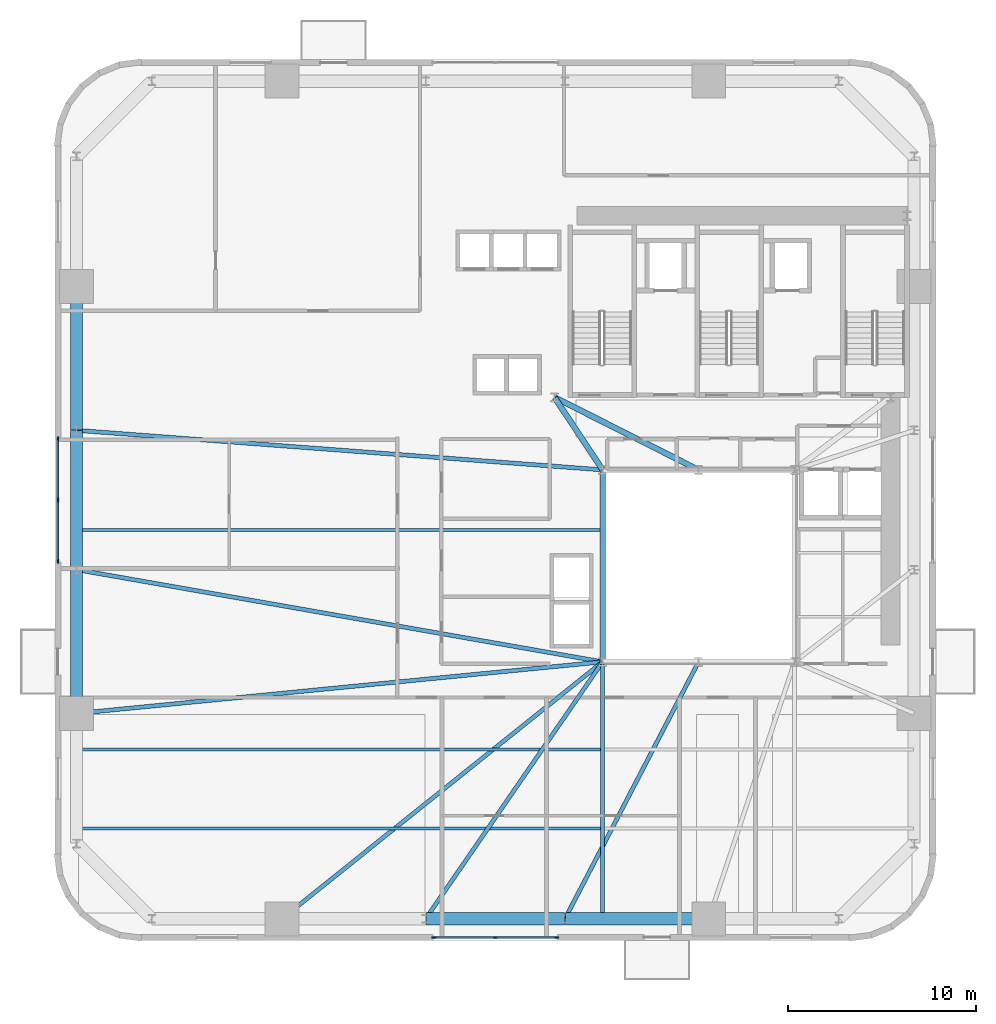
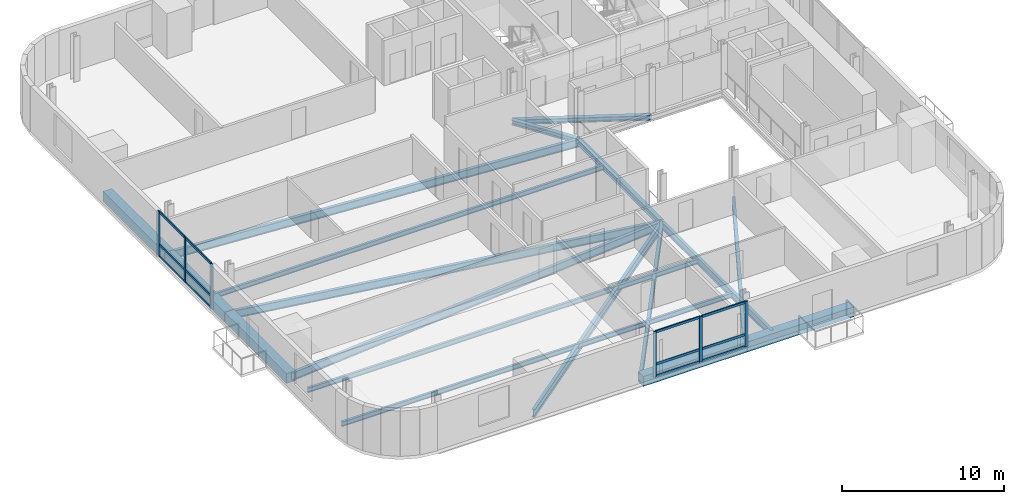
# One storey, part 2 of 13: 18 beams, 18 members, 2 elements without a shape of their own.
"""IFC4 building model written with IfcOpenShell, lengths in metres."""

from ifc_helpers import new_model, si_unit, direction, frame, origin, origin_2d, place, context, subcontext, project, spatial, rectangle, i_section, extrude, source, transform, mapped, material, material_profile, profile_set, type_object, element, aggregate, save


model = new_model("IFC4")

# Units and contexts
model_context = context("Model", 3, precision=1e-05, world=origin(), true_north=direction((0.0, 1.0)))
body_context = subcontext(model_context, "Body", "Model", "MODEL_VIEW")
ifc_project = project(units=[si_unit("LENGTHUNIT", "METRE"), si_unit("AREAUNIT", "SQUARE_METRE"), si_unit("VOLUMEUNIT", "CUBIC_METRE"), si_unit("PLANEANGLEUNIT", "RADIAN"), si_unit("MASSUNIT", "GRAM", prefix="KILO")], contexts=[model_context])

# Site, building, storey
site_placement = place(None, origin())
site = spatial("IfcSite", under=ifc_project, at=site_placement, CompositionType="ELEMENT")
building_placement = place(site_placement, origin())
building = spatial("IfcBuilding", under=site, at=building_placement, Name="Vardaveli Station Tower", CompositionType="ELEMENT")
storey_placement = place(building_placement, frame((0.0, 0.0, 67.75)))
storey = spatial("IfcBuildingStorey", under=building, at=storey_placement, Name="L17", CompositionType="ELEMENT", Elevation=67.75)

# Beams
ifc_material_1 = material(Name="Structural steel S355J2", Category="steel")
ifc_material_profile_1 = material_profile(ifc_material_1, i_section(OverallWidth=0.300048828125, OverallDepth=0.449951171875, WebThickness=0.013916015625, FlangeThickness=0.02587890625, FilletRadius=0.027099609375, at=origin_2d()), Name="HEB 450")
ifc_profile_set_1 = profile_set([ifc_material_profile_1], Name="Structural steel S355J2")
beam_type_1 = type_object("IfcBeamType", Name="BM-HEB450", PredefinedType="BEAM", material=ifc_profile_set_1)
shared_shape_1 = source(origin(), body_context, "Body", "SweptSolid", [
    extrude(i_section(OverallWidth=0.300048828125, OverallDepth=0.449951171875, WebThickness=0.013916015625, FlangeThickness=0.02587890625, FilletRadius=0.027099609375, at=origin_2d()), origin(), (0.0, 0.0, 1.0), 10.159912109375),
])
beam_1_placement = place(storey_placement, frame((31.199951171875, 26.780029296875, -0.465087890625), z_axis=(0.0, -1.0, 0.0), x_axis=(1.0, 0.0, 0.0)))
element("IfcBeam", 1, at=beam_1_placement, inside=storey, type_object=beam_type_1, Name="ABM-L17-06", PredefinedType="BEAM", context=body_context, shape_type="MappedRepresentation", body=[
    mapped(shared_shape_1, transform((0.0, 0.0, 0.0), scale=1.0)),
])
ifc_material_profile_2 = material_profile(ifc_material_1, i_section(OverallWidth=0.300048828125, OverallDepth=0.360107421875, WebThickness=0.012451171875, FlangeThickness=0.0224609375, FilletRadius=0.027099609375, at=origin_2d()), Name="HEB 360")
ifc_profile_set_2 = profile_set([ifc_material_profile_2], Name="Structural steel S355J2")
beam_type_2 = type_object("IfcBeamType", Name="BM-HEB360", PredefinedType="BEAM", material=ifc_profile_set_2)
shared_shape_2 = source(origin(), body_context, "Body", "SweptSolid", [
    extrude(i_section(OverallWidth=0.300048828125, OverallDepth=0.360107421875, WebThickness=0.012451171875, FlangeThickness=0.0224609375, FilletRadius=0.027099609375, at=origin_2d()), origin(), (0.0, 0.0, 1.0), 4.577880859375),
])
beam_2_placement = place(storey_placement, frame((31.18896484375, 26.816650390625, -0.419921875), z_axis=(-0.55218702139, 0.833720272879, 0.0), x_axis=(-0.833720272879, -0.55218702139, 0.0)))
element("IfcBeam", 2, at=beam_2_placement, inside=storey, type_object=beam_type_2, Name="CBM-L17-01", PredefinedType="BEAM", context=body_context, shape_type="MappedRepresentation", body=[
    mapped(shared_shape_2, transform((0.0, 0.0, 0.0), scale=1.0)),
])
shared_shape_3 = source(origin(), body_context, "Body", "SweptSolid", [
    extrude(i_section(OverallWidth=0.300048828125, OverallDepth=0.360107421875, WebThickness=0.012451171875, FlangeThickness=0.0224609375, FilletRadius=0.027099609375, at=origin_2d()), origin(), (0.0, 0.0, 1.0), 8.524169921875),
])
beam_3_placement = place(storey_placement, frame((28.66796875, 30.64111328125, -0.419921875), z_axis=(0.893255584708, -0.449549174605, 0.0), x_axis=(0.449549174605, 0.893255584708, 0.0)))
element("IfcBeam", 3, at=beam_3_placement, inside=storey, type_object=beam_type_2, Name="CBM-L17-03", PredefinedType="BEAM", context=body_context, shape_type="MappedRepresentation", body=[
    mapped(shared_shape_3, transform((0.0, 0.0, 0.0), scale=1.0)),
])
ifc_material_2 = material(Name="Precast concrete C45/55", Category="concrete")
ifc_material_profile_3 = material_profile(ifc_material_2, rectangle(XDim=0.64990234375, YDim=0.75, at=origin_2d()), Name="LPB 650x750")
ifc_profile_set_3 = profile_set([ifc_material_profile_3], Name="Precast concrete C45/55")
beam_type_3 = type_object("IfcBeamType", Name="BM-LPB-750", PredefinedType="BEAM", material=ifc_profile_set_3)
shared_shape_4 = source(origin(), body_context, "Body", "SweptSolid", [
    extrude(rectangle(XDim=0.64990234375, YDim=0.75, at=origin_2d()), origin(), (0.0, 0.0, 1.0), 7.60009765625),
])
for number, where, z_axis, x_axis, name in (
    (4, (29.219970703125, 2.949951171875, -0.614990234375), (1.0, 0.0, 0.0), (0.0, 1.0, 0.0), "RBM-L17-03"),
    (5, (3.25, 36.52001953125, -0.614990234375), (0.0, -1.0, 0.0), (1.0, 0.0, 0.0), "RBM-L17-19"),
    (6, (3.25, 21.47998046875, -0.614990234375), (0.0, -1.0, 0.0), (1.0, 0.0, 0.0), "RBM-L17-21"),
):
    element("IfcBeam", number, at=place(storey_placement, frame(where, z_axis=z_axis, x_axis=x_axis)), inside=storey, type_object=beam_type_3, Name=name, PredefinedType="BEAM", context=body_context, shape_type="MappedRepresentation", body=[
        mapped(shared_shape_4, transform((0.0, 0.0, 0.0), scale=1.0)),
    ])
shared_shape_5 = source(origin(), body_context, "Body", "SweptSolid", [
    extrude(rectangle(XDim=0.64990234375, YDim=0.75, at=origin_2d()), origin(), (0.0, 0.0, 1.0), 7.35986328125),
])
for number, where, z_axis, x_axis, name in (
    (7, (21.820068359375, 2.949951171875, -0.614990234375), (1.0, 0.0, 0.0), (0.0, 1.0, 0.0), "RBM-L17-02"),
    (8, (3.25, 28.8798828125, -0.614990234375), (0.0, -1.0, 0.0), (1.0, 0.0, 0.0), "RBM-L17-20"),
):
    element("IfcBeam", number, at=place(storey_placement, frame(where, z_axis=z_axis, x_axis=x_axis)), inside=storey, type_object=beam_type_3, Name=name, PredefinedType="BEAM", context=body_context, shape_type="MappedRepresentation", body=[
        mapped(shared_shape_5, transform((0.0, 0.0, 0.0), scale=1.0)),
    ])
ifc_material_profile_4 = material_profile(ifc_material_1, i_section(OverallWidth=0.219970703125, OverallDepth=0.60009765625, WebThickness=0.011962890625, FlangeThickness=0.01904296875, FilletRadius=0.02392578125, at=origin_2d()), Name="IPE 600")
ifc_profile_set_4 = profile_set([ifc_material_profile_4], Name="Structural steel S355J2")
beam_type_4 = type_object("IfcBeamType", Name="BM-IPE600", PredefinedType="BEAM", material=ifc_profile_set_4)
shared_shape_6 = source(origin(), body_context, "Body", "SweptSolid", [
    extrude(i_section(OverallWidth=0.219970703125, OverallDepth=0.60009765625, WebThickness=0.011962890625, FlangeThickness=0.01904296875, FilletRadius=0.02392578125, at=origin_2d()), origin(), (0.0, 0.0, 1.0), 21.793212890625),
])
beam_4_placement = place(storey_placement, frame((14.175537109375, 2.96240234375, -0.5400390625), z_axis=(0.780466445023, 0.625197671296, 0.0), x_axis=(-0.625197671296, 0.780466445023, 0.0)))
element("IfcBeam", 9, at=beam_4_placement, inside=storey, type_object=beam_type_4, Name="GBM-L17-01", PredefinedType="BEAM", context=body_context, shape_type="MappedRepresentation", body=[
    mapped(shared_shape_6, transform((0.0, 0.0, 0.0), scale=1.0)),
])
shared_shape_7 = source(origin(), body_context, "Body", "SweptSolid", [
    extrude(i_section(OverallWidth=0.219970703125, OverallDepth=0.60009765625, WebThickness=0.011962890625, FlangeThickness=0.01904296875, FilletRadius=0.02392578125, at=origin_2d()), origin(), (0.0, 0.0, 1.0), 16.533447265625),
])
beam_5_placement = place(storey_placement, frame((21.811279296875, 2.966552734375, -0.5400390625), z_axis=(0.567177272103, 0.823595739431, 0.0), x_axis=(-0.823595739431, 0.567177272103, 0.0)))
element("IfcBeam", 10, at=beam_5_placement, inside=storey, type_object=beam_type_4, Name="GBM-L17-02", PredefinedType="BEAM", context=body_context, shape_type="MappedRepresentation", body=[
    mapped(shared_shape_7, transform((0.0, 0.0, 0.0), scale=1.0)),
])
shared_shape_8 = source(origin(), body_context, "Body", "SweptSolid", [
    extrude(i_section(OverallWidth=0.219970703125, OverallDepth=0.60009765625, WebThickness=0.011962890625, FlangeThickness=0.01904296875, FilletRadius=0.02392578125, at=origin_2d()), origin(), (0.0, 0.0, 1.0), 15.34619140625),
])
beam_6_placement = place(storey_placement, frame((29.209228515625, 2.9677734375, -0.5400390625), z_axis=(0.461455420507, 0.887163398075, 0.0), x_axis=(-0.887163398075, 0.461455420507, 0.0)))
element("IfcBeam", 11, at=beam_6_placement, inside=storey, type_object=beam_type_4, Name="GBM-L17-03", PredefinedType="BEAM", context=body_context, shape_type="MappedRepresentation", body=[
    mapped(shared_shape_8, transform((0.0, 0.0, 0.0), scale=1.0)),
])
shared_shape_9 = source(origin(), body_context, "Body", "SweptSolid", [
    extrude(i_section(OverallWidth=0.219970703125, OverallDepth=0.60009765625, WebThickness=0.011962890625, FlangeThickness=0.01904296875, FilletRadius=0.02392578125, at=origin_2d()), origin(), (0.0, 0.0, 1.0), 27.98876953125),
])
beam_7_placement = place(storey_placement, frame((3.27001953125, 28.8984375, -0.5400390625), z_axis=(0.99718954315, -0.074920057611, 0.0), x_axis=(0.074920057611, 0.99718954315, 0.0)))
element("IfcBeam", 12, at=beam_7_placement, inside=storey, type_object=beam_type_4, Name="GBM-L17-08", PredefinedType="BEAM", context=body_context, shape_type="MappedRepresentation", body=[
    mapped(shared_shape_9, transform((0.0, 0.0, 0.0), scale=1.0)),
])
shared_shape_10 = source(origin(), body_context, "Body", "SweptSolid", [
    extrude(i_section(OverallWidth=0.219970703125, OverallDepth=0.60009765625, WebThickness=0.011962890625, FlangeThickness=0.01904296875, FilletRadius=0.02392578125, at=origin_2d()), origin(), (0.0, 0.0, 1.0), 28.33642578125),
])
beam_8_placement = place(storey_placement, frame((3.269775390625, 21.49658203125, -0.5400390625), z_axis=(0.984978267336, -0.172678350921, 0.0), x_axis=(0.172678350921, 0.984978267336, 0.0)))
element("IfcBeam", 13, at=beam_8_placement, inside=storey, type_object=beam_type_4, Name="GBM-L17-09", PredefinedType="BEAM", context=body_context, shape_type="MappedRepresentation", body=[
    mapped(shared_shape_10, transform((0.0, 0.0, 0.0), scale=1.0)),
])
shared_shape_11 = source(origin(), body_context, "Body", "SweptSolid", [
    extrude(i_section(OverallWidth=0.219970703125, OverallDepth=0.60009765625, WebThickness=0.011962890625, FlangeThickness=0.01904296875, FilletRadius=0.02392578125, at=origin_2d()), origin(), (0.0, 0.0, 1.0), 28.0439453125),
])
beam_9_placement = place(storey_placement, frame((3.27001953125, 13.862060546875, -0.5400390625), z_axis=(0.995229237856, 0.097564153855, 0.0), x_axis=(-0.097564153855, 0.995229237856, 0.0)))
element("IfcBeam", 14, at=beam_9_placement, inside=storey, type_object=beam_type_4, Name="GBM-L17-10", PredefinedType="BEAM", context=body_context, shape_type="MappedRepresentation", body=[
    mapped(shared_shape_11, transform((0.0, 0.0, 0.0), scale=1.0)),
])
ifc_material_profile_5 = material_profile(ifc_material_1, i_section(OverallWidth=0.2099609375, OverallDepth=0.550048828125, WebThickness=0.010986328125, FlangeThickness=0.01708984375, FilletRadius=0.02392578125, at=origin_2d()), Name="IPE 550")
ifc_profile_set_5 = profile_set([ifc_material_profile_5], Name="Structural steel S355J2")
beam_type_5 = type_object("IfcBeamType", Name="BM-IPE550", PredefinedType="BEAM", material=ifc_profile_set_5)
shared_shape_12 = source(origin(), body_context, "Body", "SweptSolid", [
    extrude(i_section(OverallWidth=0.2099609375, OverallDepth=0.550048828125, WebThickness=0.010986328125, FlangeThickness=0.01708984375, FilletRadius=0.02392578125, at=origin_2d()), origin(), (0.0, 0.0, 1.0), 13.469970703125),
])
beam_10_placement = place(storey_placement, frame((31.199951171875, 2.989990234375, -0.514892578125), z_axis=(0.0, 1.0, 0.0), x_axis=(-1.0, 0.0, 0.0)))
element("IfcBeam", 15, at=beam_10_placement, inside=storey, type_object=beam_type_5, Name="NSM-L17-S1", PredefinedType="BEAM", context=body_context, shape_type="MappedRepresentation", body=[
    mapped(shared_shape_12, transform((0.0, 0.0, 0.0), scale=1.0)),
])
ifc_material_profile_6 = material_profile(ifc_material_1, i_section(OverallWidth=0.169921875, OverallDepth=0.360107421875, WebThickness=0.008056640625, FlangeThickness=0.0126953125, FilletRadius=0.01806640625, at=origin_2d()), Name="IPE 360")
ifc_profile_set_6 = profile_set([ifc_material_profile_6], Name="Structural steel S355J2")
beam_type_6 = type_object("IfcBeamType", Name="BM-IPE360", PredefinedType="JOIST", material=ifc_profile_set_6)
shared_shape_13 = source(origin(), body_context, "Body", "SweptSolid", [
    extrude(i_section(OverallWidth=0.169921875, OverallDepth=0.360107421875, WebThickness=0.008056640625, FlangeThickness=0.0126953125, FilletRadius=0.01806640625, at=origin_2d()), origin(), (0.0, 0.0, 1.0), 27.7978515625),
])
for number, where, z_axis, x_axis, name in (
    (16, (3.2900390625, 7.75, -0.419921875), (1.0, 0.0, 0.0), (0.0, 1.0, 0.0), "SJ-L17-S01"),
    (17, (3.2900390625, 11.949951171875, -0.419921875), (1.0, 0.0, 0.0), (0.0, 1.0, 0.0), "SJ-L17-S04"),
    (18, (3.2900390625, 23.60009765625, -0.419921875), (1.0, 0.0, 0.0), (0.0, 1.0, 0.0), "SJ-L17-W08"),
):
    element("IfcBeam", number, at=place(storey_placement, frame(where, z_axis=z_axis, x_axis=x_axis)), inside=storey, type_object=beam_type_6, Name=name, PredefinedType="JOIST", context=body_context, shape_type="MappedRepresentation", body=[
        mapped(shared_shape_13, transform((0.0, 0.0, 0.0), scale=1.0)),
    ])

# Curtain wall, members
ifc_material_3 = material(Name="Travertine stone and solar-control glass", Category="masonry")
curtain_wall_type = type_object("IfcCurtainWallType", Name="CW-SYS-2", PredefinedType="NOTDEFINED", material=ifc_material_3)
curtain_wall_1_placement = place(storey_placement, origin())
curtain_wall_1 = element("IfcCurtainWall", 19, at=curtain_wall_1_placement, inside=storey, type_object=curtain_wall_type, Name="CW-L17-S", PredefinedType="NOTDEFINED")
ifc_material_4 = material(Name="Anodised aluminium alloy 6063-T6", Category="aluminium")
ifc_material_profile_7 = material_profile(ifc_material_4, rectangle(XDim=0.0849609375, YDim=0.219970703125, at=origin_2d()), Name="CWM 85x220")
ifc_profile_set_7 = profile_set([ifc_material_profile_7], Name="Anodised aluminium alloy 6063-T6")
member_type_1 = type_object("IfcMemberType", Name="CW-SYS-2-MULL", PredefinedType="MULLION", material=ifc_profile_set_7)
shared_shape_14 = source(origin(), body_context, "Body", "SweptSolid", [
    extrude(rectangle(XDim=0.0849609375, YDim=0.219970703125, at=origin_2d()), origin(), (0.0, 0.0, 1.0), 3.409912109375),
])
member_1_placement = place(storey_placement, frame((22.242431640625, 1.9599609375, 0.0), z_axis=(0.0, 0.0, 1.0), x_axis=(0.0, 1.0, 0.0)))
member_1 = element("IfcMember", 20, at=member_1_placement, type_object=member_type_1, Name="CW-2 mullion 1", PredefinedType="MULLION", context=body_context, shape_type="MappedRepresentation", body=[
    mapped(shared_shape_14, transform((0.0, 0.0, 0.0), scale=1.0)),
])
member_2_placement = place(storey_placement, frame((25.5, 1.9599609375, 0.0), z_axis=(0.0, 0.0, 1.0), x_axis=(0.0, 1.0, 0.0)))
member_2 = element("IfcMember", 21, at=member_2_placement, type_object=member_type_1, Name="CW-2 mullion 2", PredefinedType="MULLION", context=body_context, shape_type="MappedRepresentation", body=[
    mapped(shared_shape_14, transform((0.0, 0.0, 0.0), scale=1.0)),
])
member_3_placement = place(storey_placement, frame((28.757568359375, 1.9599609375, 0.0), z_axis=(0.0, 0.0, 1.0), x_axis=(0.0, 1.0, 0.0)))
member_3 = element("IfcMember", 22, at=member_3_placement, type_object=member_type_1, Name="CW-2 mullion 3", PredefinedType="MULLION", context=body_context, shape_type="MappedRepresentation", body=[
    mapped(shared_shape_14, transform((0.0, 0.0, 0.0), scale=1.0)),
])

curtain_wall_2_placement = place(storey_placement, origin())
curtain_wall_2 = element("IfcCurtainWall", 23, at=curtain_wall_2_placement, inside=storey, type_object=curtain_wall_type, Name="CW-L17-W", PredefinedType="NOTDEFINED")
member_4_placement = place(storey_placement, frame((2.260009765625, 28.45751953125, 0.0), z_axis=(0.0, 0.0, 1.0), x_axis=(1.0, 0.0, 0.0)))
member_4 = element("IfcMember", 24, at=member_4_placement, type_object=member_type_1, Name="CW-2 mullion 1", PredefinedType="MULLION", context=body_context, shape_type="MappedRepresentation", body=[
    mapped(shared_shape_14, transform((0.0, 0.0, 0.0), scale=1.0)),
])
member_5_placement = place(storey_placement, frame((2.260009765625, 25.199951171875, 0.0), z_axis=(0.0, 0.0, 1.0), x_axis=(1.0, 0.0, 0.0)))
member_5 = element("IfcMember", 25, at=member_5_placement, type_object=member_type_1, Name="CW-2 mullion 2", PredefinedType="MULLION", context=body_context, shape_type="MappedRepresentation", body=[
    mapped(shared_shape_14, transform((0.0, 0.0, 0.0), scale=1.0)),
])
member_6_placement = place(storey_placement, frame((2.260009765625, 21.9423828125, 0.0), z_axis=(0.0, 0.0, 1.0), x_axis=(1.0, 0.0, 0.0)))
member_6 = element("IfcMember", 26, at=member_6_placement, type_object=member_type_1, Name="CW-2 mullion 3", PredefinedType="MULLION", context=body_context, shape_type="MappedRepresentation", body=[
    mapped(shared_shape_14, transform((0.0, 0.0, 0.0), scale=1.0)),
])

# Member
ifc_material_profile_8 = material_profile(ifc_material_4, rectangle(XDim=0.0849609375, YDim=0.179931640625, at=origin_2d()), Name="CWT 85x180")
ifc_profile_set_8 = profile_set([ifc_material_profile_8], Name="Anodised aluminium alloy 6063-T6")
member_type_2 = type_object("IfcMemberType", Name="CW-SYS-2-TRAN", PredefinedType="NOTDEFINED", material=ifc_profile_set_8)
shared_shape_15 = source(origin(), body_context, "Body", "SweptSolid", [
    extrude(rectangle(XDim=0.0849609375, YDim=0.179931640625, at=origin_2d()), origin(), (0.0, 0.0, 1.0), 3.172607421875),
])
member_7_placement = place(storey_placement, frame((22.284912109375, 1.9599609375, 0.04248046875), z_axis=(1.0, 0.0, 0.0), x_axis=(0.0, 1.0, 0.0)))
member_7 = element("IfcMember", 27, at=member_7_placement, type_object=member_type_2, Name="CW-2 transom 1.1", ObjectType="TRANSOM", PredefinedType="USERDEFINED", context=body_context, shape_type="MappedRepresentation", body=[
    mapped(shared_shape_15, transform((0.0, 0.0, 0.0), scale=1.0)),
])

member_8_placement = place(storey_placement, frame((22.284912109375, 1.9599609375, 0.949951171875), z_axis=(1.0, 0.0, 0.0), x_axis=(0.0, 1.0, 0.0)))
member_8 = element("IfcMember", 28, at=member_8_placement, type_object=member_type_2, Name="CW-2 transom 1.2", ObjectType="TRANSOM", PredefinedType="USERDEFINED", context=body_context, shape_type="MappedRepresentation", body=[
    mapped(shared_shape_15, transform((0.0, 0.0, 0.0), scale=1.0)),
])

member_9_placement = place(storey_placement, frame((22.284912109375, 1.9599609375, 3.367431640625), z_axis=(1.0, 0.0, 0.0), x_axis=(0.0, 1.0, 0.0)))
member_9 = element("IfcMember", 29, at=member_9_placement, type_object=member_type_2, Name="CW-2 transom 1.3", ObjectType="TRANSOM", PredefinedType="USERDEFINED", context=body_context, shape_type="MappedRepresentation", body=[
    mapped(shared_shape_15, transform((0.0, 0.0, 0.0), scale=1.0)),
])

member_10_placement = place(storey_placement, frame((25.54248046875, 1.9599609375, 0.04248046875), z_axis=(1.0, 0.0, 0.0), x_axis=(0.0, 1.0, 0.0)))
member_10 = element("IfcMember", 30, at=member_10_placement, type_object=member_type_2, Name="CW-2 transom 2.1", ObjectType="TRANSOM", PredefinedType="USERDEFINED", context=body_context, shape_type="MappedRepresentation", body=[
    mapped(shared_shape_15, transform((0.0, 0.0, 0.0), scale=1.0)),
])

member_11_placement = place(storey_placement, frame((25.54248046875, 1.9599609375, 0.949951171875), z_axis=(1.0, 0.0, 0.0), x_axis=(0.0, 1.0, 0.0)))
member_11 = element("IfcMember", 31, at=member_11_placement, type_object=member_type_2, Name="CW-2 transom 2.2", ObjectType="TRANSOM", PredefinedType="USERDEFINED", context=body_context, shape_type="MappedRepresentation", body=[
    mapped(shared_shape_15, transform((0.0, 0.0, 0.0), scale=1.0)),
])

member_12_placement = place(storey_placement, frame((25.54248046875, 1.9599609375, 3.367431640625), z_axis=(1.0, 0.0, 0.0), x_axis=(0.0, 1.0, 0.0)))
member_12 = element("IfcMember", 32, at=member_12_placement, type_object=member_type_2, Name="CW-2 transom 2.3", ObjectType="TRANSOM", PredefinedType="USERDEFINED", context=body_context, shape_type="MappedRepresentation", body=[
    mapped(shared_shape_15, transform((0.0, 0.0, 0.0), scale=1.0)),
])

aggregate(curtain_wall_1, [member_1, member_2, member_3, member_7, member_8, member_9, member_10, member_11, member_12])

member_13_placement = place(storey_placement, frame((2.260009765625, 28.4150390625, 0.04248046875), z_axis=(0.0, -1.0, 0.0), x_axis=(1.0, 0.0, 0.0)))
member_13 = element("IfcMember", 33, at=member_13_placement, type_object=member_type_2, Name="CW-2 transom 1.1", ObjectType="TRANSOM", PredefinedType="USERDEFINED", context=body_context, shape_type="MappedRepresentation", body=[
    mapped(shared_shape_15, transform((0.0, 0.0, 0.0), scale=1.0)),
])

member_14_placement = place(storey_placement, frame((2.260009765625, 28.4150390625, 0.949951171875), z_axis=(0.0, -1.0, 0.0), x_axis=(1.0, 0.0, 0.0)))
member_14 = element("IfcMember", 34, at=member_14_placement, type_object=member_type_2, Name="CW-2 transom 1.2", ObjectType="TRANSOM", PredefinedType="USERDEFINED", context=body_context, shape_type="MappedRepresentation", body=[
    mapped(shared_shape_15, transform((0.0, 0.0, 0.0), scale=1.0)),
])

member_15_placement = place(storey_placement, frame((2.260009765625, 28.4150390625, 3.367431640625), z_axis=(0.0, -1.0, 0.0), x_axis=(1.0, 0.0, 0.0)))
member_15 = element("IfcMember", 35, at=member_15_placement, type_object=member_type_2, Name="CW-2 transom 1.3", ObjectType="TRANSOM", PredefinedType="USERDEFINED", context=body_context, shape_type="MappedRepresentation", body=[
    mapped(shared_shape_15, transform((0.0, 0.0, 0.0), scale=1.0)),
])

shared_shape_16 = source(origin(), body_context, "Body", "SweptSolid", [
    extrude(rectangle(XDim=0.0849609375, YDim=0.179931640625, at=origin_2d()), origin(), (0.0, 0.0, 1.0), 3.17236328125),
])
member_16_placement = place(storey_placement, frame((2.260009765625, 25.157470703125, 0.04248046875), z_axis=(0.0, -1.0, 0.0), x_axis=(1.0, 0.0, 0.0)))
member_16 = element("IfcMember", 36, at=member_16_placement, type_object=member_type_2, Name="CW-2 transom 2.1", ObjectType="TRANSOM", PredefinedType="USERDEFINED", context=body_context, shape_type="MappedRepresentation", body=[
    mapped(shared_shape_16, transform((0.0, 0.0, 0.0), scale=1.0)),
])

member_17_placement = place(storey_placement, frame((2.260009765625, 25.157470703125, 0.949951171875), z_axis=(0.0, -1.0, 0.0), x_axis=(1.0, 0.0, 0.0)))
member_17 = element("IfcMember", 37, at=member_17_placement, type_object=member_type_2, Name="CW-2 transom 2.2", ObjectType="TRANSOM", PredefinedType="USERDEFINED", context=body_context, shape_type="MappedRepresentation", body=[
    mapped(shared_shape_16, transform((0.0, 0.0, 0.0), scale=1.0)),
])

member_18_placement = place(storey_placement, frame((2.260009765625, 25.157470703125, 3.367431640625), z_axis=(0.0, -1.0, 0.0), x_axis=(1.0, 0.0, 0.0)))
member_18 = element("IfcMember", 38, at=member_18_placement, type_object=member_type_2, Name="CW-2 transom 2.3", ObjectType="TRANSOM", PredefinedType="USERDEFINED", context=body_context, shape_type="MappedRepresentation", body=[
    mapped(shared_shape_16, transform((0.0, 0.0, 0.0), scale=1.0)),
])

aggregate(curtain_wall_2, [member_4, member_5, member_6, member_13, member_14, member_15, member_16, member_17, member_18])

save(model, "model.ifc")
